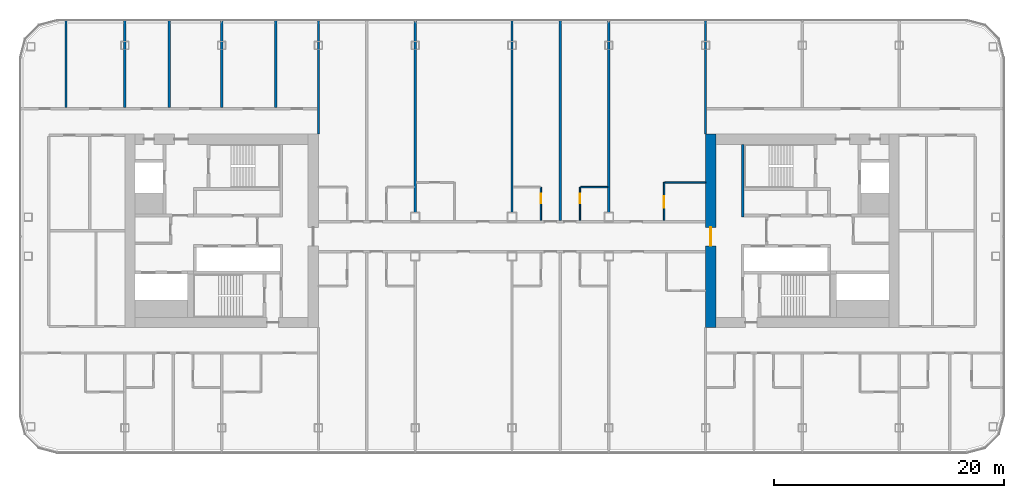
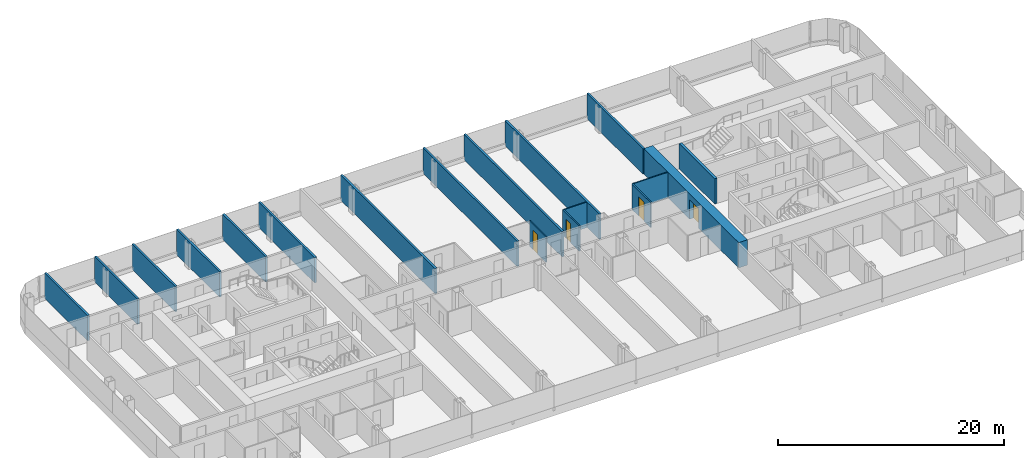
# One storey, part 15 of 26: 18 walls, 4 doors, 4 openings.
"""IFC4 building model written with IfcOpenShell, lengths in metres."""

from ifc_helpers import new_model, si_unit, direction, frame, frame_2d, origin, place, context, subcontext, project, spatial, rectangle, extrude, material, layer, layer_set, type_object, element, fill, save


model = new_model("IFC4")

# Units and contexts
model_context = context("Model", 3, precision=1e-05, world=origin(), true_north=direction((0.0, 1.0)))
body_context = subcontext(model_context, "Body", "Model", "MODEL_VIEW")
ifc_project = project(units=[si_unit("LENGTHUNIT", "METRE"), si_unit("AREAUNIT", "SQUARE_METRE"), si_unit("VOLUMEUNIT", "CUBIC_METRE"), si_unit("PLANEANGLEUNIT", "RADIAN"), si_unit("MASSUNIT", "GRAM", prefix="KILO")], contexts=[model_context])

# Site, building, storey
site_placement = place(None, origin())
site = spatial("IfcSite", under=ifc_project, at=site_placement, CompositionType="ELEMENT")
building_placement = place(site_placement, origin())
building = spatial("IfcBuilding", under=site, at=building_placement, Name="Hakoniwa Tower and Hamabe Station Hall", CompositionType="ELEMENT")
storey_placement = place(building_placement, frame((0.0, 0.0, 140.60009765625)))
storey = spatial("IfcBuildingStorey", under=building, at=storey_placement, Name="L39", CompositionType="ELEMENT", Elevation=140.60009765625)

# Walls
ifc_material_1 = material(Name="Gypsum board partition", Category="gypsum")
ifc_layer_1 = layer(ifc_material_1, 0.125)
ifc_layer_set_1 = layer_set([ifc_layer_1], Name="Bathroom Partition 125")
wall_type_1 = type_object("IfcWallType", Name="Bathroom Partition 125", PredefinedType="PARTITIONING", material=ifc_layer_set_1)
wall_1_placement = place(storey_placement, frame((5.96240234375, 3.800048828125, 0.0), z_axis=(0.0, 0.0, 1.0), x_axis=(1.0, 0.0, 0.0)))
element("IfcWall", 1, at=wall_1_placement, inside=storey, type_object=wall_type_1, Name="GW-L39-026", PredefinedType="PARTITIONING", context=body_context, shape_type="SweptSolid", body=[
    extrude(rectangle(XDim=2.337646484375, YDim=0.125, at=frame_2d((1.1689453125, 0.0))), origin(), (0.0, 0.0, 1.0), 2.75),
])
wall_2_placement = place(storey_placement, frame((13.262451171875, 4.199951171875, 0.0), z_axis=(0.0, 0.0, 1.0), x_axis=(1.0, 0.0, 0.0)))
element("IfcWall", 2, at=wall_2_placement, inside=storey, type_object=wall_type_1, Name="GW-L39-028", PredefinedType="PARTITIONING", context=body_context, shape_type="SweptSolid", body=[
    extrude(rectangle(XDim=3.547607421875, YDim=0.125, at=frame_2d((1.77392578125, 0.0))), origin(), (0.0, 0.0, 1.0), 2.75),
])

# Wall, opening, door
wall_3_placement = place(storey_placement, frame((2.5, 0.89990234375, 0.0), z_axis=(0.0, 0.0, 1.0), x_axis=(0.0, 1.0, 0.0)))
wall_3 = element("IfcWall", 3, at=wall_3_placement, inside=storey, type_object=wall_type_1, Name="GW-L39-062", PredefinedType="PARTITIONING", context=body_context, shape_type="SweptSolid", body=[
    extrude(rectangle(XDim=2.900146484375, YDim=0.125, at=frame_2d((1.4501953125, 0.0))), origin(), (0.0, 0.0, 1.0), 2.75),
])
opening_1_placement = place(wall_3_placement, frame((1.5, 0.0, 0.0)))
opening_1 = element("IfcOpeningElement", 4, at=opening_1_placement, cuts=wall_3, Name="Opening GD-G3D0-51", PredefinedType="OPENING", context=body_context, shape_type="SweptSolid", body=[
    extrude(rectangle(XDim=0.800048828125, YDim=2.10009765625, at=frame_2d((0.39990234375, 1.050048828125))), frame((0.0, 0.072509765625, 0.0), z_axis=(0.0, -1.0, 0.0), x_axis=(1.0, 0.0, 0.0)), (0.0, 0.0, 1.0), 0.14501953125),
])
ifc_material_2 = material(Name="Timber door leaf", Category="wood")
door_type_1 = type_object("IfcDoorType", Name="Bathroom Door 800", OperationType="SINGLE_SWING_LEFT", PredefinedType="DOOR", material=ifc_material_2)
door_1_placement = place(opening_1_placement, origin())
door_1 = element("IfcDoor", 5, at=door_1_placement, inside=storey, type_object=door_type_1, Name="Door GD-G3D0-51", OperationType="SINGLE_SWING_LEFT", OverallHeight=2.10009765625, OverallWidth=0.800048828125, PredefinedType="DOOR", context=body_context, shape_type="SweptSolid", body=[
    extrude(rectangle(XDim=0.800048828125, YDim=2.10009765625, at=frame_2d((0.39990234375, 1.050048828125))), frame((0.0, 0.02490234375, 0.0), z_axis=(0.0, -1.0, 0.0), x_axis=(1.0, 0.0, 0.0)), (0.0, 0.0, 1.0), 0.050048828125),
])
fill(opening_1, door_1)

wall_4_placement = place(storey_placement, frame((5.89990234375, 0.89990234375, 0.0), z_axis=(0.0, 0.0, 1.0), x_axis=(0.0, 1.0, 0.0)))
wall_4 = element("IfcWall", 6, at=wall_4_placement, inside=storey, type_object=wall_type_1, Name="GW-L39-066", PredefinedType="PARTITIONING", context=body_context, shape_type="SweptSolid", body=[
    extrude(rectangle(XDim=2.900146484375, YDim=0.125, at=frame_2d((1.4501953125, 0.0))), origin(), (0.0, 0.0, 1.0), 2.75),
])
opening_2_placement = place(wall_4_placement, frame((1.5, 0.0, 0.0)))
opening_2 = element("IfcOpeningElement", 7, at=opening_2_placement, cuts=wall_4, Name="Opening GD-G3D0-53", PredefinedType="OPENING", context=body_context, shape_type="SweptSolid", body=[
    extrude(rectangle(XDim=0.800048828125, YDim=2.10009765625, at=frame_2d((0.39990234375, 1.050048828125))), frame((0.0, 0.072509765625, 0.0), z_axis=(0.0, -1.0, 0.0), x_axis=(1.0, 0.0, 0.0)), (0.0, 0.0, 1.0), 0.14501953125),
])
door_2_placement = place(opening_2_placement, origin())
door_2 = element("IfcDoor", 8, at=door_2_placement, inside=storey, type_object=door_type_1, Name="Door GD-G3D0-53", OperationType="SINGLE_SWING_RIGHT", OverallHeight=2.10009765625, OverallWidth=0.800048828125, PredefinedType="DOOR", context=body_context, shape_type="SweptSolid", body=[
    extrude(rectangle(XDim=0.800048828125, YDim=2.10009765625, at=frame_2d((0.39990234375, 1.050048828125))), frame((0.0, 0.02490234375, 0.0), z_axis=(0.0, -1.0, 0.0), x_axis=(1.0, 0.0, 0.0)), (0.0, 0.0, 1.0), 0.050048828125),
])
fill(opening_2, door_2)

wall_5_placement = place(storey_placement, frame((13.199951171875, 0.89990234375, 0.0), z_axis=(0.0, 0.0, 1.0), x_axis=(0.0, 1.0, 0.0)))
wall_5 = element("IfcWall", 9, at=wall_5_placement, inside=storey, type_object=wall_type_1, Name="GW-L39-069", PredefinedType="PARTITIONING", context=body_context, shape_type="SweptSolid", body=[
    extrude(rectangle(XDim=3.300048828125, YDim=0.125, at=frame_2d((1.64990234375, 0.0))), origin(), (0.0, 0.0, 1.0), 2.75),
])
opening_3_placement = place(wall_5_placement, frame((1.10009765625, 0.0, 0.0)))
opening_3 = element("IfcOpeningElement", 10, at=opening_3_placement, cuts=wall_5, Name="Opening GD-G3D0-54", PredefinedType="OPENING", context=body_context, shape_type="SweptSolid", body=[
    extrude(rectangle(XDim=1.0, YDim=2.10009765625, at=frame_2d((0.5, 1.050048828125))), frame((0.0, 0.072509765625, 0.0), z_axis=(0.0, -1.0, 0.0), x_axis=(1.0, 0.0, 0.0)), (0.0, 0.0, 1.0), 0.14501953125),
])
ifc_material_3 = material(Name="Timber door leaf", Category="wood")
door_type_2 = type_object("IfcDoorType", Name="Accessible Bathroom Door 1000", OperationType="SINGLE_SWING_LEFT", PredefinedType="DOOR", material=ifc_material_3)
door_3_placement = place(opening_3_placement, origin())
door_3 = element("IfcDoor", 11, at=door_3_placement, inside=storey, type_object=door_type_2, Name="Door GD-G3D0-54", OperationType="SINGLE_SWING_LEFT", OverallHeight=2.10009765625, OverallWidth=1.0, PredefinedType="DOOR", context=body_context, shape_type="SweptSolid", body=[
    extrude(rectangle(XDim=1.0, YDim=2.10009765625, at=frame_2d((0.5, 1.050048828125))), frame((0.0, 0.02490234375, 0.0), z_axis=(0.0, -1.0, 0.0), x_axis=(1.0, 0.0, 0.0)), (0.0, 0.0, 1.0), 0.050048828125),
])
fill(opening_3, door_3)

ifc_material_4 = material(Name="Concrete C66", Category="concrete")
ifc_layer_2 = layer(ifc_material_4, 0.89990234375)
ifc_layer_set_2 = layer_set([ifc_layer_2], Name="CORE WALL 900 C66")
wall_type_2 = type_object("IfcWallType", Name="CORE WALL 900 C66", PredefinedType="SHEAR", material=ifc_layer_set_2)
wall_6_placement = place(storey_placement, frame((17.25, -8.39990234375, 0.0), z_axis=(0.0, 0.0, 1.0), x_axis=(0.0, 1.0, 0.0)))
wall_6 = element("IfcWall", 12, at=wall_6_placement, inside=storey, type_object=wall_type_2, Name="Core wall INNER east", PredefinedType="SHEAR", context=body_context, shape_type="SweptSolid", body=[
    extrude(rectangle(XDim=16.7998046875, YDim=0.89990234375, at=frame_2d((8.39990234375, 0.0))), origin(), (0.0, 0.0, 1.0), 2.75),
])
opening_4_placement = place(wall_6_placement, frame((7.10009765625, 0.0, 0.0)))
opening_4 = element("IfcOpeningElement", 13, at=opening_4_placement, cuts=wall_6, Name="Opening CD-E-IN1-16", PredefinedType="OPENING", context=body_context, shape_type="SweptSolid", body=[
    extrude(rectangle(XDim=1.60009765625, YDim=2.10009765625, at=frame_2d((0.800048828125, 1.050048828125))), frame((0.0, 0.4599609375, 0.0), z_axis=(0.0, -1.0, 0.0), x_axis=(1.0, 0.0, 0.0)), (0.0, 0.0, 1.0), 0.919921875),
])
ifc_material_5 = material(Name="Steel fire door", Category="steel")
door_type_3 = type_object("IfcDoorType", Name="CORE DOOR 1600 FD60", OperationType="DOUBLE_DOOR_SINGLE_SWING", PredefinedType="DOOR", material=ifc_material_5)
door_4_placement = place(opening_4_placement, origin())
door_4 = element("IfcDoor", 14, at=door_4_placement, inside=storey, type_object=door_type_3, Name="Lift lobby door", OperationType="DOUBLE_DOOR_SINGLE_SWING", OverallHeight=2.10009765625, OverallWidth=1.60009765625, PredefinedType="DOOR", context=body_context, shape_type="SweptSolid", body=[
    extrude(rectangle(XDim=1.60009765625, YDim=2.10009765625, at=frame_2d((0.800048828125, 1.050048828125))), frame((0.0, 0.02490234375, 0.0), z_axis=(0.0, -1.0, 0.0), x_axis=(1.0, 0.0, 0.0)), (0.0, 0.0, 1.0), 0.050048828125),
])
fill(opening_4, door_4)

# Walls
ifc_material_6 = material(Name="Concrete C66", Category="concrete")
ifc_layer_3 = layer(ifc_material_6, 0.25)
ifc_layer_set_3 = layer_set([ifc_layer_3], Name="CORE WEB WALL 250 C66")
wall_type_3 = type_object("IfcWallType", Name="CORE WEB WALL 250 C66", PredefinedType="SHEAR", material=ifc_layer_set_3)
wall_7_placement = place(storey_placement, frame((20.02490234375, 1.199951171875, 0.0), z_axis=(0.0, 0.0, 1.0), x_axis=(0.0, 1.0, 0.0)))
element("IfcWall", 15, at=wall_7_placement, inside=storey, type_object=wall_type_3, Name="Core wall W1N east", PredefinedType="SHEAR", context=body_context, shape_type="SweptSolid", body=[
    extrude(rectangle(XDim=6.300048828125, YDim=0.25, at=frame_2d((3.14990234375, 0.0))), origin(), (0.0, 0.0, 1.0), 2.75),
])
ifc_material_7 = material(Name="Fire-rated gypsum board partition", Category="gypsum")
ifc_layer_4 = layer(ifc_material_7, 0.199951171875)
ifc_layer_set_4 = layer_set([ifc_layer_4], Name="Party Wall 200")
wall_type_4 = type_object("IfcWallType", Name="Party Wall 200", PredefinedType="PARTITIONING", material=ifc_layer_set_4)
for number, where, z_axis, x_axis, name in (
    (16, (-38.699951171875, 10.699951171875, 0.0), (0.0, 0.0, 1.0), (0.0, 1.0, 0.0), "GW-L39-034"),
    (17, (-33.60009765625, 10.699951171875, 0.0), (0.0, 0.0, 1.0), (0.0, 1.0, 0.0), "GW-L39-039"),
    (18, (-29.739990234375, 10.699951171875, 0.0), (0.0, 0.0, 1.0), (0.0, 1.0, 0.0), "GW-L39-041"),
    (19, (-25.199951171875, 10.699951171875, 0.0), (0.0, 0.0, 1.0), (0.0, 1.0, 0.0), "GW-L39-045"),
    (20, (-20.5, 10.699951171875, 0.0), (0.0, 0.0, 1.0), (0.0, 1.0, 0.0), "GW-L39-047"),
):
    element("IfcWall", number, at=place(storey_placement, frame(where, z_axis=z_axis, x_axis=x_axis)), inside=storey, type_object=wall_type_4, Name=name, PredefinedType="PARTITIONING", context=body_context, shape_type="SweptSolid", body=[
        extrude(rectangle(XDim=7.60009765625, YDim=0.199951171875, at=frame_2d((3.800048828125, 0.0))), origin(), (0.0, 0.0, 1.0), 2.75),
    ])
wall_8_placement = place(storey_placement, frame((-16.800048828125, 8.389892578125, 0.0), z_axis=(0.0, 0.0, 1.0), x_axis=(0.0, 1.0, 0.0)))
element("IfcWall", 21, at=wall_8_placement, inside=storey, type_object=wall_type_4, Name="GW-L39-049", PredefinedType="PARTITIONING", context=body_context, shape_type="SweptSolid", body=[
    extrude(rectangle(XDim=9.91015625, YDim=0.199951171875, at=frame_2d((4.955078125, 0.0))), origin(), (0.0, 0.0, 1.0), 2.75),
])
for number, where, z_axis, x_axis, name in (
    (22, (-8.39990234375, 1.590087890625, 0.0), (0.0, 0.0, 1.0), (0.0, 1.0, 0.0), "GW-L39-057"),
    (23, (0.0, 1.590087890625, 0.0), (0.0, 0.0, 1.0), (0.0, 1.0, 0.0), "GW-L39-060"),
):
    element("IfcWall", number, at=place(storey_placement, frame(where, z_axis=z_axis, x_axis=x_axis)), inside=storey, type_object=wall_type_4, Name=name, PredefinedType="PARTITIONING", context=body_context, shape_type="SweptSolid", body=[
        extrude(rectangle(XDim=16.7099609375, YDim=0.199951171875, at=frame_2d((8.35498046875, 0.0))), origin(), (0.0, 0.0, 1.0), 2.75),
    ])
wall_9_placement = place(storey_placement, frame((4.199951171875, 0.89990234375, 0.0), z_axis=(0.0, 0.0, 1.0), x_axis=(0.0, 1.0, 0.0)))
element("IfcWall", 24, at=wall_9_placement, inside=storey, type_object=wall_type_4, Name="GW-L39-064", PredefinedType="PARTITIONING", context=body_context, shape_type="SweptSolid", body=[
    extrude(rectangle(XDim=17.400146484375, YDim=0.199951171875, at=frame_2d((8.7001953125, 0.0))), origin(), (0.0, 0.0, 1.0), 2.75),
])
wall_10_placement = place(storey_placement, frame((8.39990234375, 1.590087890625, 0.0), z_axis=(0.0, 0.0, 1.0), x_axis=(0.0, 1.0, 0.0)))
element("IfcWall", 25, at=wall_10_placement, inside=storey, type_object=wall_type_4, Name="GW-L39-068", PredefinedType="PARTITIONING", context=body_context, shape_type="SweptSolid", body=[
    extrude(rectangle(XDim=16.7099609375, YDim=0.199951171875, at=frame_2d((8.35498046875, 0.0))), origin(), (0.0, 0.0, 1.0), 2.75),
])
wall_11_placement = place(storey_placement, frame((16.800048828125, 8.389892578125, 0.0), z_axis=(0.0, 0.0, 1.0), x_axis=(0.0, 1.0, 0.0)))
element("IfcWall", 26, at=wall_11_placement, inside=storey, type_object=wall_type_4, Name="GW-L39-072", PredefinedType="PARTITIONING", context=body_context, shape_type="SweptSolid", body=[
    extrude(rectangle(XDim=9.91015625, YDim=0.199951171875, at=frame_2d((4.955078125, 0.0))), origin(), (0.0, 0.0, 1.0), 2.75),
])

save(model, "model.ifc")
